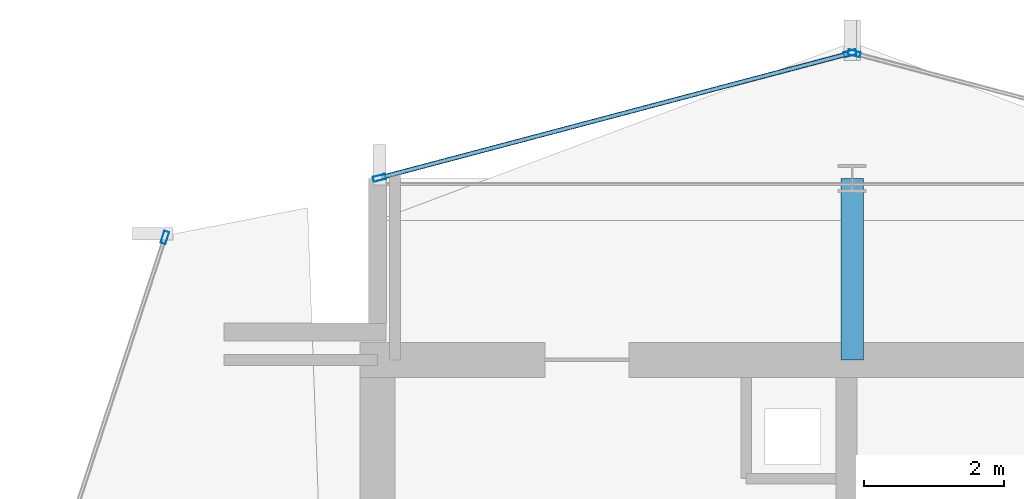
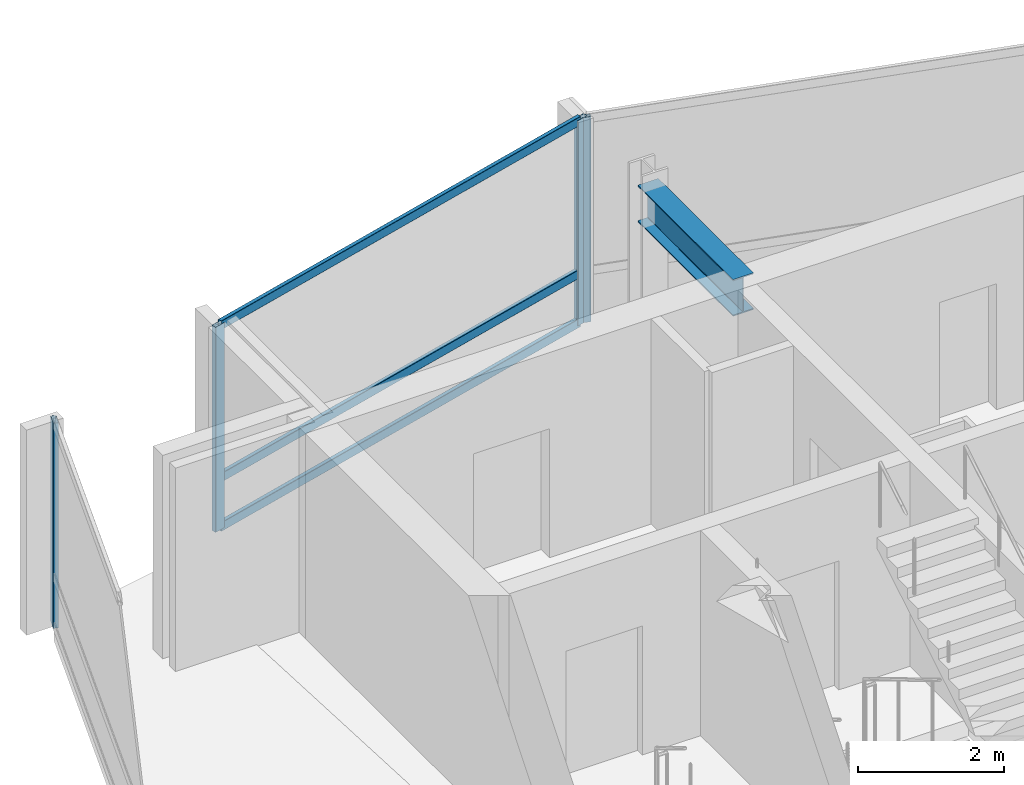
# One storey, part 16 of 28: 7 members, 1 beam, 3 elements without a shape of their own.
"""IFC4 building model written with IfcOpenShell, lengths in metres."""

from ifc_helpers import new_model, si_unit, direction, frame, origin, origin_2d, place, context, subcontext, project, spatial, hollow_rectangle, i_section, extrude, material, layer, layer_set, material_profile, profile_set, type_object, element, aggregate, save


model = new_model("IFC4")

# Units and contexts
model_context = context("Model", 3, precision=1e-05, world=origin(), true_north=direction((0.0, 1.0)))
body_context = subcontext(model_context, "Body", "Model", "MODEL_VIEW")
ifc_project = project(units=[si_unit("LENGTHUNIT", "METRE"), si_unit("AREAUNIT", "SQUARE_METRE"), si_unit("VOLUMEUNIT", "CUBIC_METRE"), si_unit("PLANEANGLEUNIT", "RADIAN"), si_unit("MASSUNIT", "GRAM", prefix="KILO")], contexts=[model_context])

# Site, building, storey
site_placement = place(None, origin())
site = spatial("IfcSite", under=ifc_project, at=site_placement, CompositionType="ELEMENT")
building_placement = place(site_placement, origin())
building = spatial("IfcBuilding", under=site, at=building_placement, Name="Solvaryn Broadcast Tower", CompositionType="ELEMENT")
storey_placement = place(building_placement, frame((0.0, 0.0, 206.199951171875)))
storey = spatial("IfcBuildingStorey", under=building, at=storey_placement, Name="L51", CompositionType="ELEMENT", Elevation=206.199951171875)

# Beam
ifc_material_1 = material(Name="Steel ASTM A992 Grade 50", Category="steel")
ifc_material_profile_1 = material_profile(ifc_material_1, i_section(OverallWidth=0.323974609375, OverallDepth=0.611083984375, WebThickness=0.0126953125, FlangeThickness=0.01904296875, FilletRadius=0.014892578125, at=origin_2d()))
ifc_profile_set_1 = profile_set([ifc_material_profile_1], Name="Steel ASTM A992 Grade 50")
beam_type = type_object("IfcBeamType", Name="BM-B1-W24X104", PredefinedType="BEAM", material=ifc_profile_set_1)
beam_placement = place(storey_placement, frame((18.0, 42.39990234375, 3.114501953125), z_axis=(0.0, 1.0, 0.0), x_axis=(-1.0, 0.0, 0.0)))
element("IfcBeam", 1, at=beam_placement, inside=storey, type_object=beam_type, Name="L51 Core Tie Beam CTW3", PredefinedType="BEAM", context=body_context, shape_type="SweptSolid", body=[
    extrude(i_section(OverallWidth=0.323974609375, OverallDepth=0.611083984375, WebThickness=0.0126953125, FlangeThickness=0.01904296875, FilletRadius=0.014892578125, at=origin_2d()), origin(), (0.0, 0.0, 1.0), 2.60009765625),
])

# Curtain wall, member
ifc_material_2 = material(Name="Aluminium and Terracotta Unitised Curtain Wall", Category="masonry")
ifc_layer = layer(ifc_material_2, 0.199951171875)
ifc_layer_set = layer_set([ifc_layer], Name="CW-SYS2-LOWMID")
curtain_wall_type = type_object("IfcCurtainWallType", Name="CW-SYS2-LOWMID", PredefinedType="NOTDEFINED", material=ifc_layer_set)
curtain_wall_1_placement = place(storey_placement, origin())
curtain_wall_1 = element("IfcCurtainWall", 2, at=curtain_wall_1_placement, inside=storey, type_object=curtain_wall_type, Name="L51 Curtain Wall DR1", PredefinedType="NOTDEFINED")
ifc_material_3 = material(Name="Anodised Aluminium 6063-T6", Category="aluminium")
ifc_material_profile_2 = material_profile(ifc_material_3, hollow_rectangle(XDim=0.074951171875, YDim=0.179931640625, WallThickness=0.00390625, InnerFilletRadius=0.00390625, OuterFilletRadius=0.008056640625, at=origin_2d()))
ifc_profile_set_2 = profile_set([ifc_material_profile_2], Name="Anodised Aluminium 6063-T6")
member_type_1 = type_object("IfcMemberType", Name="CW-MUL-180", PredefinedType="MULLION", material=ifc_profile_set_2)
member_1_placement = place(storey_placement, frame((8.153564453125, 44.153564453125, 0.0), z_axis=(0.0, 0.0, 1.0), x_axis=(0.950226902099, -0.311558717623, 0.0)))
member_1 = element("IfcMember", 3, at=member_1_placement, type_object=member_type_1, Name="CWS2 mullion 1", PredefinedType="MULLION", context=body_context, shape_type="SweptSolid", body=[
    extrude(hollow_rectangle(XDim=0.074951171875, YDim=0.179931640625, WallThickness=0.00390625, InnerFilletRadius=0.00390625, OuterFilletRadius=0.008056640625, at=origin_2d()), origin(), (0.0, 0.0, 1.0), 3.420166015625),
])
aggregate(curtain_wall_1, [member_1])

curtain_wall_2_placement = place(storey_placement, origin())
curtain_wall_2 = element("IfcCurtainWall", 4, at=curtain_wall_2_placement, inside=storey, type_object=curtain_wall_type, Name="L51 Curtain Wall NT1", PredefinedType="NOTDEFINED")
member_2_placement = place(storey_placement, frame((18.029052734375, 46.792236328125, 0.0), z_axis=(0.0, 0.0, 1.0), x_axis=(-0.25589256031, -0.966705227863, 0.0)))
member_2 = element("IfcMember", 5, at=member_2_placement, type_object=member_type_1, Name="CWS2 mullion 2", PredefinedType="MULLION", context=body_context, shape_type="SweptSolid", body=[
    extrude(hollow_rectangle(XDim=0.074951171875, YDim=0.179931640625, WallThickness=0.00390625, InnerFilletRadius=0.00390625, OuterFilletRadius=0.008056640625, at=origin_2d()), origin(), (0.0, 0.0, 1.0), 3.420166015625),
])
aggregate(curtain_wall_2, [member_2])

# Curtain wall, members
curtain_wall_3_placement = place(storey_placement, origin())
curtain_wall_3 = element("IfcCurtainWall", 6, at=curtain_wall_3_placement, inside=storey, type_object=curtain_wall_type, Name="L51 Curtain Wall NT2", PredefinedType="NOTDEFINED")
member_3_placement = place(storey_placement, frame((17.970947265625, 46.792236328125, 0.0), z_axis=(0.0, 0.0, 1.0), x_axis=(0.25589256031, -0.966705227863, 0.0)))
member_3 = element("IfcMember", 7, at=member_3_placement, type_object=member_type_1, Name="CWS2 mullion 1", PredefinedType="MULLION", context=body_context, shape_type="SweptSolid", body=[
    extrude(hollow_rectangle(XDim=0.074951171875, YDim=0.179931640625, WallThickness=0.00390625, InnerFilletRadius=0.00390625, OuterFilletRadius=0.008056640625, at=origin_2d()), origin(), (0.0, 0.0, 1.0), 3.420166015625),
])
member_4_placement = place(storey_placement, frame((11.22900390625, 45.007568359375, 0.0), z_axis=(0.0, 0.0, 1.0), x_axis=(0.25589256031, -0.966705227863, 0.0)))
member_4 = element("IfcMember", 8, at=member_4_placement, type_object=member_type_1, Name="CWS2 mullion 2", PredefinedType="MULLION", context=body_context, shape_type="SweptSolid", body=[
    extrude(hollow_rectangle(XDim=0.074951171875, YDim=0.179931640625, WallThickness=0.00390625, InnerFilletRadius=0.00390625, OuterFilletRadius=0.008056640625, at=origin_2d()), origin(), (0.0, 0.0, 1.0), 3.420166015625),
])
ifc_material_4 = material(Name="Anodised Aluminium 6063-T6", Category="aluminium")
ifc_material_profile_3 = material_profile(ifc_material_4, hollow_rectangle(XDim=0.06494140625, YDim=0.14990234375, WallThickness=0.00390625, InnerFilletRadius=0.00390625, OuterFilletRadius=0.008056640625, at=origin_2d()))
ifc_profile_set_3 = profile_set([ifc_material_profile_3], Name="Anodised Aluminium 6063-T6")
member_type_2 = type_object("IfcMemberType", Name="CW-TRN-150", PredefinedType="USERDEFINED", material=ifc_profile_set_3)
member_5_placement = place(storey_placement, frame((17.94189453125, 46.78466796875, 0.030029296875), z_axis=(-0.966703943301, -0.255897413051, 0.0), x_axis=(0.255897413051, -0.966703943301, 0.0)))
member_5 = element("IfcMember", 9, at=member_5_placement, type_object=member_type_2, Name="CWS2 transom 1.1", ObjectType="TRANSOM", PredefinedType="USERDEFINED", context=body_context, shape_type="SweptSolid", body=[
    extrude(hollow_rectangle(XDim=0.06494140625, YDim=0.14990234375, WallThickness=0.00390625, InnerFilletRadius=0.00390625, OuterFilletRadius=0.008056640625, at=origin_2d()), origin(), (0.0, 0.0, 1.0), 6.9140625),
])
member_6_placement = place(storey_placement, frame((17.94189453125, 46.78466796875, 0.85009765625), z_axis=(-0.966703943301, -0.255897413051, 0.0), x_axis=(0.255897413051, -0.966703943301, 0.0)))
member_6 = element("IfcMember", 10, at=member_6_placement, type_object=member_type_2, Name="CWS2 transom 1.2", ObjectType="TRANSOM", PredefinedType="USERDEFINED", context=body_context, shape_type="SweptSolid", body=[
    extrude(hollow_rectangle(XDim=0.06494140625, YDim=0.14990234375, WallThickness=0.00390625, InnerFilletRadius=0.00390625, OuterFilletRadius=0.008056640625, at=origin_2d()), origin(), (0.0, 0.0, 1.0), 6.9140625),
])
member_7_placement = place(storey_placement, frame((17.94189453125, 46.78466796875, 3.39013671875), z_axis=(-0.966703943301, -0.255897413051, 0.0), x_axis=(0.255897413051, -0.966703943301, 0.0)))
member_7 = element("IfcMember", 11, at=member_7_placement, type_object=member_type_2, Name="CWS2 transom 1.3", ObjectType="TRANSOM", PredefinedType="USERDEFINED", context=body_context, shape_type="SweptSolid", body=[
    extrude(hollow_rectangle(XDim=0.06494140625, YDim=0.14990234375, WallThickness=0.00390625, InnerFilletRadius=0.00390625, OuterFilletRadius=0.008056640625, at=origin_2d()), origin(), (0.0, 0.0, 1.0), 6.9140625),
])
aggregate(curtain_wall_3, [member_3, member_4, member_5, member_6, member_7])

save(model, "model.ifc")
